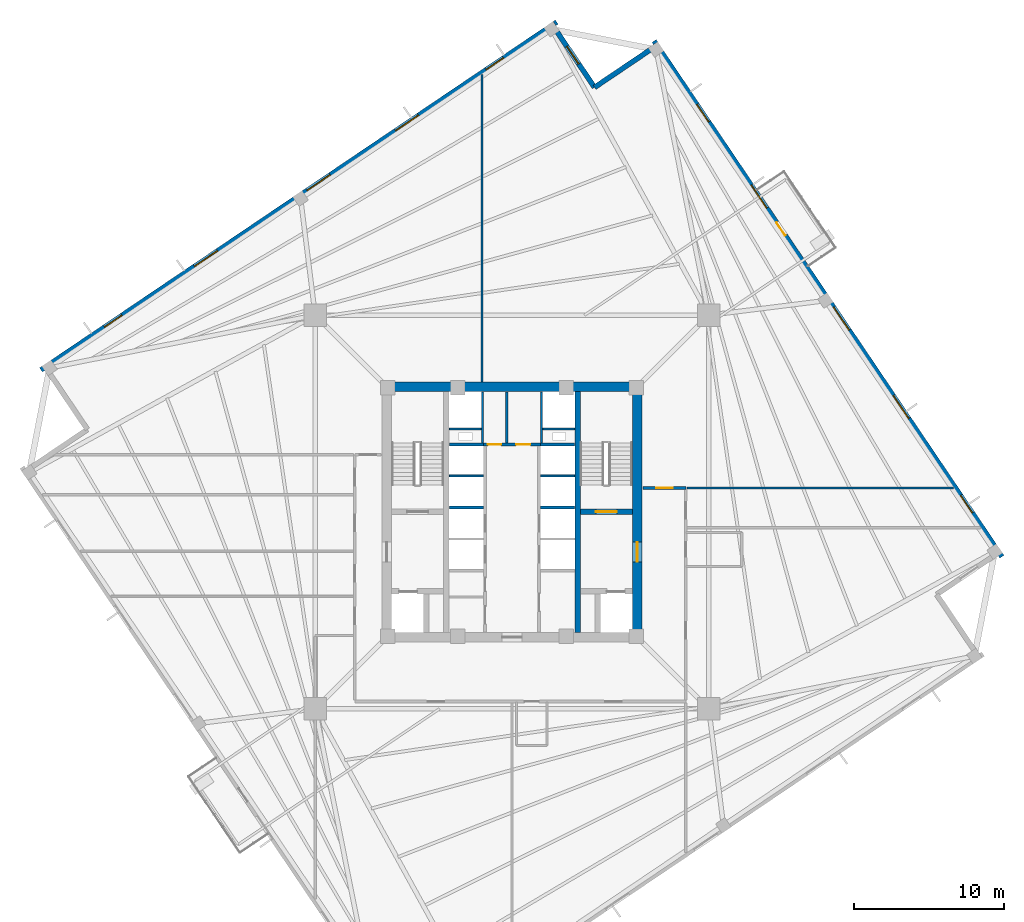
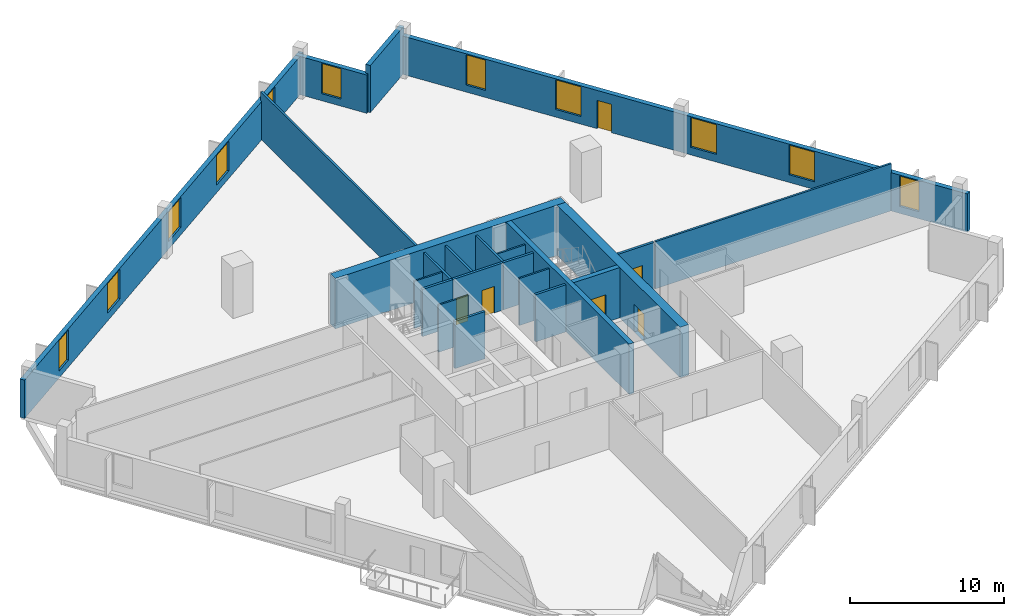
# One storey, part 5 of 9: 23 walls, 11 windows, 6 doors, 17 openings.
"""IFC4 building model written with IfcOpenShell, lengths in metres."""

from ifc_helpers import new_model, si_unit, direction, frame, frame_2d, origin, place, context, subcontext, project, spatial, rectangle, extrude, source, transform, mapped, material, layer, layer_set, type_object, element, fill, save


model = new_model("IFC4")

# Units and contexts
model_context = context("Model", 3, precision=1e-05, world=origin(), true_north=direction((0.0, 1.0)))
body_context = subcontext(model_context, "Body", "Model", "MODEL_VIEW")
ifc_project = project(units=[si_unit("LENGTHUNIT", "METRE"), si_unit("AREAUNIT", "SQUARE_METRE"), si_unit("VOLUMEUNIT", "CUBIC_METRE"), si_unit("PLANEANGLEUNIT", "RADIAN"), si_unit("MASSUNIT", "GRAM", prefix="KILO"), si_unit("THERMODYNAMICTEMPERATUREUNIT", "KELVIN")], contexts=[model_context])

# Site, building, storey
site_placement = place(None, origin())
site = spatial("IfcSite", under=ifc_project, at=site_placement, CompositionType="ELEMENT")
building_placement = place(site_placement, origin())
building = spatial("IfcBuilding", under=site, at=building_placement, Name="Kosmvard Interchange Tower", CompositionType="ELEMENT")
storey_placement = place(building_placement, frame((0.0, 0.0, 180.39990234375)))
storey = spatial("IfcBuildingStorey", under=building, at=storey_placement, Name="L43", CompositionType="ELEMENT", Elevation=180.39990234375)

# Walls
ifc_material_1 = material(Name="Acoustic gypsum partition system")
ifc_layer_1 = layer(ifc_material_1, 0.14990234375, Name="Acoustic gypsum partition system")
ifc_layer_set_1 = layer_set([ifc_layer_1], Name="Acoustic gypsum partition system")
wall_type_1 = type_object("IfcWallType", Name="Acoustic Suite & Meeting Partition 150", PredefinedType="PARTITIONING", material=ifc_layer_set_1)
wall_1_placement = place(storey_placement, frame((-2.0, 8.655029296875, 0.0), z_axis=(0.0, 0.0, 1.0), x_axis=(0.0, 1.0, 0.0)))
element("IfcWall", 1, at=wall_1_placement, inside=storey, type_object=wall_type_1, Name="L43 Room Partition 01.1", PredefinedType="PARTITIONING", context=body_context, shape_type="SweptSolid", body=[
    extrude(rectangle(XDim=20.4228515625, YDim=0.14990234375, at=frame_2d((10.21142578125, 0.0))), origin(), (0.0, 0.0, 1.0), 3.739990234375),
])
wall_2_placement = place(storey_placement, frame((11.64501953125, 1.60009765625, 0.0), z_axis=(0.0, 0.0, 1.0), x_axis=(1.0, 0.0, 0.0)))
element("IfcWall", 2, at=wall_2_placement, inside=storey, type_object=wall_type_1, Name="L43 Room Partition 05.1", PredefinedType="PARTITIONING", context=body_context, shape_type="SweptSolid", body=[
    extrude(rectangle(XDim=17.70263671875, YDim=0.14990234375, at=frame_2d((8.851318359375, 0.0))), origin(), (0.0, 0.0, 1.0), 3.739990234375),
])
ifc_material_2 = material(Name="Fire-rated gypsum partition system")
ifc_layer_2 = layer(ifc_material_2, 0.159912109375, Name="Fire-rated gypsum partition system")
ifc_layer_set_2 = layer_set([ifc_layer_2], Name="Fire-rated gypsum partition system")
wall_type_2 = type_object("IfcWallType", Name="Core Compartment & Shuttle Lobby Partition 160", PredefinedType="PARTITIONING", material=ifc_layer_set_2)
for number, where, z_axis, x_axis, name in (
    (3, (-1.9599609375, 4.580078125, 0.0), (0.0, 0.0, 1.0), (0.0, 1.0, 0.0), "L43 North Core West Wall"),
    (4, (1.9599609375, 4.580078125, 0.0), (0.0, 0.0, 1.0), (0.0, 1.0, 0.0), "L43 North Core East Wall"),
):
    element("IfcWall", number, at=place(storey_placement, frame(where, z_axis=z_axis, x_axis=x_axis)), inside=storey, type_object=wall_type_2, Name=name, PredefinedType="PARTITIONING", context=body_context, shape_type="SweptSolid", body=[
        extrude(rectangle(XDim=3.39990234375, YDim=0.159912109375, at=frame_2d((1.699951171875, 0.0))), origin(), (0.0, 0.0, 1.0), 3.739990234375),
    ])
ifc_material_3 = material(Name="Concrete blockwork masonry", Category="masonry")
ifc_layer_3 = layer(ifc_material_3, 0.159912109375, Name="Concrete blockwork masonry")
ifc_layer_set_3 = layer_set([ifc_layer_3], Name="Concrete blockwork masonry")
wall_type_3 = type_object("IfcWallType", Name="Core Enclosure Split Wall 160", PredefinedType="PARTITIONING", material=ifc_layer_set_3)
wall_3_placement = place(storey_placement, frame((-0.35009765625, 4.60009765625, 0.0), z_axis=(0.0, 0.0, 1.0), x_axis=(0.0, 1.0, 0.0)))
element("IfcWall", 5, at=wall_3_placement, inside=storey, type_object=wall_type_3, Name="L43 Core K2 Split Wall", PredefinedType="PARTITIONING", context=body_context, shape_type="SweptSolid", body=[
    extrude(rectangle(XDim=3.3798828125, YDim=0.159912109375, at=frame_2d((1.68994140625, 0.0))), origin(), (0.0, 0.0, 1.0), 3.739990234375),
])

# Wall, openings, doors
ifc_layer_4 = layer(ifc_material_2, 0.179931640625, Name="Fire-rated gypsum partition system")
ifc_layer_set_4 = layer_set([ifc_layer_4], Name="Fire-rated gypsum partition system")
wall_type_4 = type_object("IfcWallType", Name="Corridor & Hotel Compartment Partition 180", PredefinedType="PARTITIONING", material=ifc_layer_set_4)
wall_4_placement = place(storey_placement, frame((-1.8798828125, 4.489990234375, 0.0), z_axis=(0.0, 0.0, 1.0), x_axis=(1.0, 0.0, 0.0)))
wall_4 = element("IfcWall", 6, at=wall_4_placement, inside=storey, type_object=wall_type_4, Name="L43 Lift Lobby North Partition", PredefinedType="PARTITIONING", context=body_context, shape_type="SweptSolid", body=[
    extrude(rectangle(XDim=3.759765625, YDim=0.179931640625, at=frame_2d((1.8798828125, 0.0))), origin(), (0.0, 0.0, 1.0), 3.739990234375),
])
opening_1_placement = place(wall_4_placement, frame((0.280029296875, 0.0, 0.0)))
opening_1 = element("IfcOpeningElement", 7, at=opening_1_placement, cuts=wall_4, Name="Opening L43-KD1", PredefinedType="OPENING", context=body_context, shape_type="SweptSolid", body=[
    extrude(rectangle(XDim=0.8798828125, YDim=2.10009765625, at=frame_2d((0.43994140625, 1.050048828125))), frame((0.0, 0.10009765625, 0.0), z_axis=(0.0, -1.0, 0.0), x_axis=(1.0, 0.0, 0.0)), (0.0, 0.0, 1.0), 0.199951171875),
])
opening_2_placement = place(wall_4_placement, frame((2.14990234375, 0.0, 0.0)))
opening_2 = element("IfcOpeningElement", 8, at=opening_2_placement, cuts=wall_4, Name="Opening L43-KD2", PredefinedType="OPENING", context=body_context, shape_type="SweptSolid", body=[
    extrude(rectangle(XDim=0.949951171875, YDim=2.10009765625, at=frame_2d((0.47509765625, 1.050048828125))), frame((0.0, 0.10009765625, 0.0), z_axis=(0.0, -1.0, 0.0), x_axis=(1.0, 0.0, 0.0)), (0.0, 0.0, 1.0), 0.199951171875),
])
ifc_material_4 = material(Name="Painted fire-rated timber leaf", Category="wood")
door_type_1 = type_object("IfcDoorType", Name="Core Service Fire Door 950x2100 EI30", OperationType="NOTDEFINED", PredefinedType="DOOR", material=ifc_material_4)
shared_shape_1 = source(origin(), body_context, "Body", "SweptSolid", [
    extrude(rectangle(XDim=0.949951171875, YDim=2.10009765625, at=frame_2d((0.47509765625, 1.050048828125))), frame((0.0, 0.02490234375, 0.0), z_axis=(0.0, -1.0, 0.0), x_axis=(1.0, 0.0, 0.0)), (0.0, 0.0, 1.0), 0.050048828125),
])
door_1_placement = place(opening_2_placement, origin())
door_1 = element("IfcDoor", 9, at=door_1_placement, inside=storey, type_object=door_type_1, Name="L43 Core Tea Pantry Door", OperationType="SINGLE_SWING_RIGHT", OverallHeight=2.10009765625, OverallWidth=0.949951171875, PredefinedType="DOOR", context=body_context, shape_type="MappedRepresentation", body=[
    mapped(shared_shape_1, transform((0.0, 0.0, 0.0), scale=1.0)),
])
fill(opening_2, door_1)
door_type_2 = type_object("IfcDoorType", Name="Core Cupboard Fire Door 880x2100 EI30", OperationType="NOTDEFINED", PredefinedType="DOOR", material=ifc_material_4)
shared_shape_2 = source(origin(), body_context, "Body", "SweptSolid", [
    extrude(rectangle(XDim=0.8798828125, YDim=2.10009765625, at=frame_2d((0.43994140625, 1.050048828125))), frame((0.0, 0.02490234375, 0.0), z_axis=(0.0, -1.0, 0.0), x_axis=(1.0, 0.0, 0.0)), (0.0, 0.0, 1.0), 0.050048828125),
])
door_2_placement = place(opening_1_placement, origin())
door_2 = element("IfcDoor", 10, at=door_2_placement, inside=storey, type_object=door_type_2, Name="L43 Core Cleaner Cupboard Door", OperationType="SINGLE_SWING_LEFT", OverallHeight=2.10009765625, OverallWidth=0.8798828125, PredefinedType="DOOR", context=body_context, shape_type="MappedRepresentation", body=[
    mapped(shared_shape_2, transform((0.0, 0.0, 0.0), scale=1.0)),
])
fill(opening_1, door_2)

# Wall, opening, door
wall_5_placement = place(storey_placement, frame((8.699951171875, 1.60009765625, 0.0), z_axis=(0.0, 0.0, 1.0), x_axis=(1.0, 0.0, 0.0)))
wall_5 = element("IfcWall", 11, at=wall_5_placement, inside=storey, type_object=wall_type_4, Name="L43 Corridor Wall CNE", PredefinedType="PARTITIONING", context=body_context, shape_type="SweptSolid", body=[
    extrude(rectangle(XDim=2.85009765625, YDim=0.179931640625, at=frame_2d((1.425048828125, 0.0))), origin(), (0.0, 0.0, 1.0), 3.739990234375),
])
opening_3_placement = place(wall_5_placement, frame((0.875, 0.0, 0.0)))
opening_3 = element("IfcOpeningElement", 12, at=opening_3_placement, cuts=wall_5, Name="Opening L43-D05", PredefinedType="OPENING", context=body_context, shape_type="SweptSolid", body=[
    extrude(rectangle(XDim=1.10009765625, YDim=2.199951171875, at=frame_2d((0.550048828125, 1.10009765625))), frame((0.0, 0.10009765625, 0.0), z_axis=(0.0, -1.0, 0.0), x_axis=(1.0, 0.0, 0.0)), (0.0, 0.0, 1.0), 0.199951171875),
])
ifc_material_5 = material(Name="Engineered oak fire-rated timber", Category="wood")
door_type_3 = type_object("IfcDoorType", Name="Office Suite Entrance Door 1100x2200 FD30S", OperationType="NOTDEFINED", PredefinedType="DOOR", material=ifc_material_5)
shared_shape_3 = source(origin(), body_context, "Body", "SweptSolid", [
    extrude(rectangle(XDim=1.10009765625, YDim=2.199951171875, at=frame_2d((0.550048828125, 1.10009765625))), frame((0.0, 0.02490234375, 0.0), z_axis=(0.0, -1.0, 0.0), x_axis=(1.0, 0.0, 0.0)), (0.0, 0.0, 1.0), 0.050048828125),
])
door_3_placement = place(opening_3_placement, origin())
door_3 = element("IfcDoor", 13, at=door_3_placement, inside=storey, type_object=door_type_3, Name="L43 North-East Cloud Systems Workplace Door", OperationType="SINGLE_SWING_LEFT", OverallHeight=2.199951171875, OverallWidth=1.10009765625, PredefinedType="DOOR", context=body_context, shape_type="MappedRepresentation", body=[
    mapped(shared_shape_3, transform((0.0, 0.0, 0.0), scale=1.0)),
])
fill(opening_3, door_3)

# Wall
ifc_material_6 = material(Name="Concrete C70/85", Category="concrete")
ifc_layer_5 = layer(ifc_material_6, 0.64990234375, Name="Concrete C70/85")
ifc_layer_set_5 = layer_set([ifc_layer_5], Name="Concrete C70/85")
wall_type_5 = type_object("IfcWallType", Name="Mid Core Shear Wall 650 C70/85", PredefinedType="SHEAR", material=ifc_layer_set_5)
wall_6_placement = place(storey_placement, frame((-8.64990234375, 8.324951171875, 0.0), z_axis=(0.0, 0.0, 1.0), x_axis=(1.0, 0.0, 0.0)))
element("IfcWall", 14, at=wall_6_placement, inside=storey, type_object=wall_type_5, Name="L43 Core Shear Wall CW-N", PredefinedType="SHEAR", context=body_context, shape_type="SweptSolid", body=[
    extrude(rectangle(XDim=17.2998046875, YDim=0.64990234375, at=frame_2d((8.64990234375, 0.0))), origin(), (0.0, 0.0, 1.0), 4.0),
])

# Wall, opening, door
wall_7_placement = place(storey_placement, frame((8.324951171875, -8.0, 0.0), z_axis=(0.0, 0.0, 1.0), x_axis=(0.0, 1.0, 0.0)))
wall_7 = element("IfcWall", 15, at=wall_7_placement, inside=storey, type_object=wall_type_5, Name="L43 Core Shear Wall CW-E", PredefinedType="SHEAR", context=body_context, shape_type="SweptSolid", body=[
    extrude(rectangle(XDim=16.0, YDim=0.64990234375, at=frame_2d((8.0, 0.0))), origin(), (0.0, 0.0, 1.0), 4.0),
])
opening_4_placement = place(wall_7_placement, frame((4.68994140625, 0.0, 0.0)))
opening_4 = element("IfcOpeningElement", 16, at=opening_4_placement, cuts=wall_7, Name="Opening L43-FD2", PredefinedType="OPENING", context=body_context, shape_type="SweptSolid", body=[
    extrude(rectangle(XDim=1.300048828125, YDim=2.199951171875, at=frame_2d((0.64990234375, 1.10009765625))), frame((0.0, 0.3349609375, 0.0), z_axis=(0.0, -1.0, 0.0), x_axis=(1.0, 0.0, 0.0)), (0.0, 0.0, 1.0), 0.669921875),
])
ifc_material_7 = material(Name="Painted fire-rated steel leaf", Category="steel")
door_type_4 = type_object("IfcDoorType", Name="Firefighting Lobby Door 1300x2200 EI60", OperationType="NOTDEFINED", PredefinedType="DOOR", material=ifc_material_7)
shared_shape_4 = source(origin(), body_context, "Body", "SweptSolid", [
    extrude(rectangle(XDim=1.300048828125, YDim=2.199951171875, at=frame_2d((0.64990234375, 1.10009765625))), frame((0.0, 0.02490234375, 0.0), z_axis=(0.0, -1.0, 0.0), x_axis=(1.0, 0.0, 0.0)), (0.0, 0.0, 1.0), 0.050048828125),
])
door_4_placement = place(opening_4_placement, origin())
door_4 = element("IfcDoor", 17, at=door_4_placement, inside=storey, type_object=door_type_4, Name="L43 Firefighting Lobby East Door", OperationType="SINGLE_SWING_RIGHT", OverallHeight=2.199951171875, OverallWidth=1.300048828125, PredefinedType="DOOR", context=body_context, shape_type="MappedRepresentation", body=[
    mapped(shared_shape_4, transform((0.0, 0.0, 0.0), scale=1.0)),
])
fill(opening_4, door_4)

# Wall, openings, door, windows
ifc_material_8 = material(Name="Precast concrete C45/55", Category="concrete")
ifc_layer_6 = layer(ifc_material_8, 0.340087890625, Name="Precast concrete C45/55")
ifc_layer_set_6 = layer_set([ifc_layer_6], Name="Precast concrete C45/55")
wall_type_6 = type_object("IfcWallType", Name="Mid Tower Precast Pier Wall 340 C45/55", PredefinedType="STANDARD", material=ifc_layer_set_6)
wall_8_placement = place(storey_placement, frame((32.55810546875, -2.971923828125, 0.0), z_axis=(0.0, 0.0, 1.0), x_axis=(-0.559194910251, 0.829036218961, 0.0)))
wall_8 = element("IfcWall", 18, at=wall_8_placement, inside=storey, type_object=wall_type_6, Name="L43 Precast Facade Wall F-E", PredefinedType="STANDARD", context=body_context, shape_type="SweptSolid", body=[
    extrude(rectangle(XDim=41.340087890625, YDim=0.340087890625, at=frame_2d((20.669921875, 0.0))), origin(), (0.0, 0.0, 1.0), 3.0400390625),
])
opening_5_placement = place(wall_8_placement, frame((25.7451171875, 0.0, 0.0)))
opening_5 = element("IfcOpeningElement", 19, at=opening_5_placement, cuts=wall_8, Name="Opening L43-BDE", PredefinedType="OPENING", context=body_context, shape_type="SweptSolid", body=[
    extrude(rectangle(XDim=1.050048828125, YDim=2.25, at=frame_2d((0.52490234375, 1.125))), frame((0.0, 0.18017578125, 0.0), z_axis=(0.0, -1.0, 0.0), x_axis=(1.0, 0.0, 0.0)), (0.0, 0.0, 1.0), 0.360107421875),
])
opening_6_placement = place(wall_8_placement, frame((3.5107421875, 0.0, 0.56005859375)))
opening_6 = element("IfcOpeningElement", 20, at=opening_6_placement, cuts=wall_8, Name="Opening L43-W06", PredefinedType="OPENING", context=body_context, shape_type="SweptSolid", body=[
    extrude(rectangle(XDim=1.39990234375, YDim=2.39990234375, at=frame_2d((0.699951171875, 1.199951171875))), frame((0.0, 0.18017578125, 0.0), z_axis=(0.0, -1.0, 0.0), x_axis=(1.0, 0.0, 0.0)), (0.0, 0.0, 1.0), 0.360107421875),
])
opening_7_placement = place(wall_8_placement, frame((11.063720703125, 0.0, 0.610107421875)))
opening_7 = element("IfcOpeningElement", 21, at=opening_7_placement, cuts=wall_8, Name="Opening L43-W07", PredefinedType="OPENING", context=body_context, shape_type="SweptSolid", body=[
    extrude(rectangle(XDim=1.85009765625, YDim=2.35009765625, at=frame_2d((0.925048828125, 1.175048828125))), frame((0.0, 0.18017578125, 0.0), z_axis=(0.0, -1.0, 0.0), x_axis=(1.0, 0.0, 0.0)), (0.0, 0.0, 1.0), 0.360107421875),
])
opening_8_placement = place(wall_8_placement, frame((18.168212890625, 0.0, 0.610107421875)))
opening_8 = element("IfcOpeningElement", 22, at=opening_8_placement, cuts=wall_8, Name="Opening L43-W08", PredefinedType="OPENING", context=body_context, shape_type="SweptSolid", body=[
    extrude(rectangle(XDim=1.85009765625, YDim=2.35009765625, at=frame_2d((0.925048828125, 1.175048828125))), frame((0.0, 0.18017578125, 0.0), z_axis=(0.0, -1.0, 0.0), x_axis=(1.0, 0.0, 0.0)), (0.0, 0.0, 1.0), 0.360107421875),
])
opening_9_placement = place(wall_8_placement, frame((27.936279296875, 0.0, 0.610107421875)))
opening_9 = element("IfcOpeningElement", 23, at=opening_9_placement, cuts=wall_8, Name="Opening L43-W09", PredefinedType="OPENING", context=body_context, shape_type="SweptSolid", body=[
    extrude(rectangle(XDim=1.85009765625, YDim=2.35009765625, at=frame_2d((0.925048828125, 1.175048828125))), frame((0.0, 0.18017578125, 0.0), z_axis=(0.0, -1.0, 0.0), x_axis=(1.0, 0.0, 0.0)), (0.0, 0.0, 1.0), 0.360107421875),
])
opening_10_placement = place(wall_8_placement, frame((34.852294921875, 0.0, 0.56005859375)))
opening_10 = element("IfcOpeningElement", 24, at=opening_10_placement, cuts=wall_8, Name="Opening L43-W10", PredefinedType="OPENING", context=body_context, shape_type="SweptSolid", body=[
    extrude(rectangle(XDim=1.39990234375, YDim=2.39990234375, at=frame_2d((0.699951171875, 1.199951171875))), frame((0.0, 0.18017578125, 0.0), z_axis=(0.0, -1.0, 0.0), x_axis=(1.0, 0.0, 0.0)), (0.0, 0.0, 1.0), 0.360107421875),
])
ifc_material_9 = material(Name="Anodised aluminium and safety glass", Category="aluminium")
door_type_5 = type_object("IfcDoorType", Name="Tree-Balcony Glazed Door 1050x2250", OperationType="NOTDEFINED", PredefinedType="DOOR", material=ifc_material_9)
shared_shape_5 = source(origin(), body_context, "Body", "SweptSolid", [
    extrude(rectangle(XDim=1.050048828125, YDim=2.25, at=frame_2d((0.52490234375, 1.125))), frame((0.0, 0.02490234375, 0.0), z_axis=(0.0, -1.0, 0.0), x_axis=(1.0, 0.0, 0.0)), (0.0, 0.0, 1.0), 0.050048828125),
])
door_5_placement = place(opening_5_placement, origin())
door_5 = element("IfcDoor", 25, at=door_5_placement, inside=storey, type_object=door_type_5, Name="L43 Tree-Balcony Door BAL-L43-E", OperationType="SINGLE_SWING_RIGHT", OverallHeight=2.25, OverallWidth=1.050048828125, PredefinedType="DOOR", context=body_context, shape_type="MappedRepresentation", body=[
    mapped(shared_shape_5, transform((0.0, 0.0, 0.0), scale=1.0)),
])
fill(opening_5, door_5)
ifc_material_10 = material(Name="Low-E solar-control double glazing", Category="glass")
window_type_1 = type_object("IfcWindowType", Name="Notched Corner Feature Window 1400x2400", PartitioningType="SINGLE_PANEL", PredefinedType="WINDOW", material=ifc_material_10)
shared_shape_6 = source(origin(), body_context, "Body", "SweptSolid", [
    extrude(rectangle(XDim=1.39990234375, YDim=2.39990234375, at=frame_2d((0.699951171875, 1.199951171875))), frame((0.0, 0.030029296875, 0.0), z_axis=(0.0, -1.0, 0.0), x_axis=(1.0, 0.0, 0.0)), (0.0, 0.0, 1.0), 0.06005859375),
])
window_1_placement = place(opening_6_placement, origin())
window_1 = element("IfcWindow", 26, at=window_1_placement, inside=storey, type_object=window_type_1, Name="L43 Facade Punched Window 06", OverallHeight=2.39990234375, OverallWidth=1.39990234375, PartitioningType="SINGLE_PANEL", PredefinedType="WINDOW", context=body_context, shape_type="MappedRepresentation", body=[
    mapped(shared_shape_6, transform((0.0, 0.0, 0.0), scale=1.0)),
])
fill(opening_6, window_1)
window_2_placement = place(opening_10_placement, origin())
window_2 = element("IfcWindow", 27, at=window_2_placement, inside=storey, type_object=window_type_1, Name="L43 Facade Punched Window 10", OverallHeight=2.39990234375, OverallWidth=1.39990234375, PartitioningType="SINGLE_PANEL", PredefinedType="WINDOW", context=body_context, shape_type="MappedRepresentation", body=[
    mapped(shared_shape_6, transform((0.0, 0.0, 0.0), scale=1.0)),
])
fill(opening_10, window_2)
window_type_2 = type_object("IfcWindowType", Name="Zone 3 Office Punched Window 1850x2350", PartitioningType="SINGLE_PANEL", PredefinedType="WINDOW", material=ifc_material_10)
shared_shape_7 = source(origin(), body_context, "Body", "SweptSolid", [
    extrude(rectangle(XDim=1.85009765625, YDim=2.35009765625, at=frame_2d((0.925048828125, 1.175048828125))), frame((0.0, 0.030029296875, 0.0), z_axis=(0.0, -1.0, 0.0), x_axis=(1.0, 0.0, 0.0)), (0.0, 0.0, 1.0), 0.06005859375),
])
window_3_placement = place(opening_7_placement, origin())
window_3 = element("IfcWindow", 28, at=window_3_placement, inside=storey, type_object=window_type_2, Name="L43 Facade Punched Window 07", OverallHeight=2.35009765625, OverallWidth=1.85009765625, PartitioningType="SINGLE_PANEL", PredefinedType="WINDOW", context=body_context, shape_type="MappedRepresentation", body=[
    mapped(shared_shape_7, transform((0.0, 0.0, 0.0), scale=1.0)),
])
fill(opening_7, window_3)
window_4_placement = place(opening_8_placement, origin())
window_4 = element("IfcWindow", 29, at=window_4_placement, inside=storey, type_object=window_type_2, Name="L43 Facade Punched Window 08", OverallHeight=2.35009765625, OverallWidth=1.85009765625, PartitioningType="SINGLE_PANEL", PredefinedType="WINDOW", context=body_context, shape_type="MappedRepresentation", body=[
    mapped(shared_shape_7, transform((0.0, 0.0, 0.0), scale=1.0)),
])
fill(opening_8, window_4)
window_5_placement = place(opening_9_placement, origin())
window_5 = element("IfcWindow", 30, at=window_5_placement, inside=storey, type_object=window_type_2, Name="L43 Facade Punched Window 09", OverallHeight=2.35009765625, OverallWidth=1.85009765625, PartitioningType="SINGLE_PANEL", PredefinedType="WINDOW", context=body_context, shape_type="MappedRepresentation", body=[
    mapped(shared_shape_7, transform((0.0, 0.0, 0.0), scale=1.0)),
])
fill(opening_9, window_5)

# Wall
wall_9_placement = place(storey_placement, frame((9.631103515625, 31.018798828125, 0.0), z_axis=(0.0, 0.0, 1.0), x_axis=(-0.829025804298, -0.559210350234, 0.0)))
element("IfcWall", 31, at=wall_9_placement, inside=storey, type_object=wall_type_6, Name="L43 Precast Facade Wall N-NE1", PredefinedType="STANDARD", context=body_context, shape_type="SweptSolid", body=[
    extrude(rectangle(XDim=5.000244140625, YDim=0.340087890625, at=frame_2d((2.5, 0.0))), origin(), (0.0, 0.0, 1.0), 3.739990234375),
])

# Wall, opening, window
wall_10_placement = place(storey_placement, frame((5.48583984375, 28.22265625, 0.0), z_axis=(0.0, 0.0, 1.0), x_axis=(-0.559171107879, 0.82905227345, 0.0)))
wall_10 = element("IfcWall", 32, at=wall_10_placement, inside=storey, type_object=wall_type_6, Name="L43 Precast Facade Wall N-NE2", PredefinedType="STANDARD", context=body_context, shape_type="SweptSolid", body=[
    extrude(rectangle(XDim=5.169921875, YDim=0.340087890625, at=frame_2d((2.5849609375, 0.0))), origin(), (0.0, 0.0, 1.0), 3.0400390625),
])
opening_11_placement = place(wall_10_placement, frame((1.885009765625, 0.0, 0.56005859375)))
opening_11 = element("IfcOpeningElement", 33, at=opening_11_placement, cuts=wall_10, Name="Opening L43-W22", PredefinedType="OPENING", context=body_context, shape_type="SweptSolid", body=[
    extrude(rectangle(XDim=1.39990234375, YDim=2.39990234375, at=frame_2d((0.699951171875, 1.199951171875))), frame((0.0, 0.18017578125, 0.0), z_axis=(0.0, -1.0, 0.0), x_axis=(1.0, 0.0, 0.0)), (0.0, 0.0, 1.0), 0.360107421875),
])
window_6_placement = place(opening_11_placement, origin())
window_6 = element("IfcWindow", 34, at=window_6_placement, inside=storey, type_object=window_type_1, Name="L43 Corner Notch Window 22", OverallHeight=2.39990234375, OverallWidth=1.39990234375, PartitioningType="SINGLE_PANEL", PredefinedType="WINDOW", context=body_context, shape_type="MappedRepresentation", body=[
    mapped(shared_shape_6, transform((0.0, 0.0, 0.0), scale=1.0)),
])
fill(opening_11, window_6)

# Wall, openings, windows
wall_11_placement = place(storey_placement, frame((2.971923828125, 32.55810546875, 0.0), z_axis=(0.0, 0.0, 1.0), x_axis=(-0.829036218961, -0.559194910251, 0.0)))
wall_11 = element("IfcWall", 35, at=wall_11_placement, inside=storey, type_object=wall_type_6, Name="L43 Precast Facade Wall F-N", PredefinedType="STANDARD", context=body_context, shape_type="SweptSolid", body=[
    extrude(rectangle(XDim=41.340087890625, YDim=0.340087890625, at=frame_2d((20.669921875, 0.0))), origin(), (0.0, 0.0, 1.0), 3.0400390625),
])
opening_12_placement = place(wall_11_placement, frame((4.2607421875, 0.0, 0.56005859375)))
opening_12 = element("IfcOpeningElement", 36, at=opening_12_placement, cuts=wall_11, Name="Opening L43-W11", PredefinedType="OPENING", context=body_context, shape_type="SweptSolid", body=[
    extrude(rectangle(XDim=1.39990234375, YDim=2.39990234375, at=frame_2d((0.699951171875, 1.199951171875))), frame((0.0, 0.18017578125, 0.0), z_axis=(0.0, -1.0, 0.0), x_axis=(1.0, 0.0, 0.0)), (0.0, 0.0, 1.0), 0.360107421875),
])
opening_13_placement = place(wall_11_placement, frame((11.063720703125, 0.0, 0.610107421875)))
opening_13 = element("IfcOpeningElement", 37, at=opening_13_placement, cuts=wall_11, Name="Opening L43-W12", PredefinedType="OPENING", context=body_context, shape_type="SweptSolid", body=[
    extrude(rectangle(XDim=1.85009765625, YDim=2.35009765625, at=frame_2d((0.925048828125, 1.175048828125))), frame((0.0, 0.18017578125, 0.0), z_axis=(0.0, -1.0, 0.0), x_axis=(1.0, 0.0, 0.0)), (0.0, 0.0, 1.0), 0.360107421875),
])
opening_14_placement = place(wall_11_placement, frame((18.168212890625, 0.0, 0.610107421875)))
opening_14 = element("IfcOpeningElement", 38, at=opening_14_placement, cuts=wall_11, Name="Opening L43-W13", PredefinedType="OPENING", context=body_context, shape_type="SweptSolid", body=[
    extrude(rectangle(XDim=1.85009765625, YDim=2.35009765625, at=frame_2d((0.925048828125, 1.175048828125))), frame((0.0, 0.18017578125, 0.0), z_axis=(0.0, -1.0, 0.0), x_axis=(1.0, 0.0, 0.0)), (0.0, 0.0, 1.0), 0.360107421875),
])
opening_15_placement = place(wall_11_placement, frame((27.186279296875, 0.0, 0.610107421875)))
opening_15 = element("IfcOpeningElement", 39, at=opening_15_placement, cuts=wall_11, Name="Opening L43-W14", PredefinedType="OPENING", context=body_context, shape_type="SweptSolid", body=[
    extrude(rectangle(XDim=1.85009765625, YDim=2.35009765625, at=frame_2d((0.925048828125, 1.175048828125))), frame((0.0, 0.18017578125, 0.0), z_axis=(0.0, -1.0, 0.0), x_axis=(1.0, 0.0, 0.0)), (0.0, 0.0, 1.0), 0.360107421875),
])
opening_16_placement = place(wall_11_placement, frame((34.852294921875, 0.0, 0.56005859375)))
opening_16 = element("IfcOpeningElement", 40, at=opening_16_placement, cuts=wall_11, Name="Opening L43-W15", PredefinedType="OPENING", context=body_context, shape_type="SweptSolid", body=[
    extrude(rectangle(XDim=1.39990234375, YDim=2.39990234375, at=frame_2d((0.699951171875, 1.199951171875))), frame((0.0, 0.18017578125, 0.0), z_axis=(0.0, -1.0, 0.0), x_axis=(1.0, 0.0, 0.0)), (0.0, 0.0, 1.0), 0.360107421875),
])
window_7_placement = place(opening_12_placement, origin())
window_7 = element("IfcWindow", 41, at=window_7_placement, inside=storey, type_object=window_type_1, Name="L43 Facade Punched Window 11", OverallHeight=2.39990234375, OverallWidth=1.39990234375, PartitioningType="SINGLE_PANEL", PredefinedType="WINDOW", context=body_context, shape_type="MappedRepresentation", body=[
    mapped(shared_shape_6, transform((0.0, 0.0, 0.0), scale=1.0)),
])
fill(opening_12, window_7)
window_8_placement = place(opening_16_placement, origin())
window_8 = element("IfcWindow", 42, at=window_8_placement, inside=storey, type_object=window_type_1, Name="L43 Facade Punched Window 15", OverallHeight=2.39990234375, OverallWidth=1.39990234375, PartitioningType="SINGLE_PANEL", PredefinedType="WINDOW", context=body_context, shape_type="MappedRepresentation", body=[
    mapped(shared_shape_6, transform((0.0, 0.0, 0.0), scale=1.0)),
])
fill(opening_16, window_8)
window_9_placement = place(opening_13_placement, origin())
window_9 = element("IfcWindow", 43, at=window_9_placement, inside=storey, type_object=window_type_2, Name="L43 Facade Punched Window 12", OverallHeight=2.35009765625, OverallWidth=1.85009765625, PartitioningType="SINGLE_PANEL", PredefinedType="WINDOW", context=body_context, shape_type="MappedRepresentation", body=[
    mapped(shared_shape_7, transform((0.0, 0.0, 0.0), scale=1.0)),
])
fill(opening_13, window_9)
window_10_placement = place(opening_14_placement, origin())
window_10 = element("IfcWindow", 44, at=window_10_placement, inside=storey, type_object=window_type_2, Name="L43 Facade Punched Window 13", OverallHeight=2.35009765625, OverallWidth=1.85009765625, PartitioningType="SINGLE_PANEL", PredefinedType="WINDOW", context=body_context, shape_type="MappedRepresentation", body=[
    mapped(shared_shape_7, transform((0.0, 0.0, 0.0), scale=1.0)),
])
fill(opening_14, window_10)
window_11_placement = place(opening_15_placement, origin())
window_11 = element("IfcWindow", 45, at=window_11_placement, inside=storey, type_object=window_type_2, Name="L43 Facade Punched Window 14", OverallHeight=2.35009765625, OverallWidth=1.85009765625, PartitioningType="SINGLE_PANEL", PredefinedType="WINDOW", context=body_context, shape_type="MappedRepresentation", body=[
    mapped(shared_shape_7, transform((0.0, 0.0, 0.0), scale=1.0)),
])
fill(opening_15, window_11)

# Walls
ifc_layer_7 = layer(ifc_material_3, 0.179931640625, Name="Concrete blockwork masonry")
ifc_layer_set_7 = layer_set([ifc_layer_7], Name="Concrete blockwork masonry")
wall_type_7 = type_object("IfcWallType", Name="Riser & Lift Bank Divider Wall 180", PredefinedType="PARTITIONING", material=ifc_layer_set_7)
for number, where, z_axis, x_axis, name in (
    (46, (-4.169921875, 0.300048828125, 0.0), (0.0, 0.0, 1.0), (1.0, 0.0, 0.0), "L43 West Bank Divider BD2"),
    (47, (1.889892578125, 0.300048828125, 0.0), (0.0, 0.0, 1.0), (1.0, 0.0, 0.0), "L43 East Bank Divider BD2"),
    (48, (-4.169921875, 4.489990234375, 0.0), (0.0, 0.0, 1.0), (1.0, 0.0, 0.0), "L43 West Bank Divider BD3"),
    (49, (1.889892578125, 4.489990234375, 0.0), (0.0, 0.0, 1.0), (1.0, 0.0, 0.0), "L43 East Bank Divider BD3"),
):
    element("IfcWall", number, at=place(storey_placement, frame(where, z_axis=z_axis, x_axis=x_axis)), inside=storey, type_object=wall_type_7, Name=name, PredefinedType="PARTITIONING", context=body_context, shape_type="SweptSolid", body=[
        extrude(rectangle(XDim=2.280029296875, YDim=0.179931640625, at=frame_2d((1.14013671875, 0.0))), origin(), (0.0, 0.0, 1.0), 3.739990234375),
    ])
ifc_material_11 = material(Name="Fire-rated gypsum shaftwall system")
ifc_layer_8 = layer(ifc_material_11, 0.1201171875, Name="Fire-rated gypsum shaftwall system")
ifc_layer_set_8 = layer_set([ifc_layer_8], Name="Fire-rated gypsum shaftwall system")
wall_type_8 = type_object("IfcWallType", Name="Shaft & Riser Fire Partition 120 EI60", PredefinedType="PARTITIONING", material=ifc_layer_set_8)
for number, where, z_axis, x_axis, name in (
    (50, (-4.159912109375, 2.39990234375, 0.0), (0.0, 0.0, 1.0), (1.0, 0.0, 0.0), "L43 Shaft Divider PL-H1"),
    (51, (1.89990234375, 2.39990234375, 0.0), (0.0, 0.0, 1.0), (1.0, 0.0, 0.0), "L43 Shaft Divider PL-H3"),
):
    element("IfcWall", number, at=place(storey_placement, frame(where, z_axis=z_axis, x_axis=x_axis)), inside=storey, type_object=wall_type_8, Name=name, PredefinedType="PARTITIONING", context=body_context, shape_type="SweptSolid", body=[
        extrude(rectangle(XDim=2.260009765625, YDim=0.1201171875, at=frame_2d((1.1298828125, 0.0))), origin(), (0.0, 0.0, 1.0), 3.739990234375),
    ])
for number, where, z_axis, x_axis, name in (
    (52, (-4.159912109375, 5.52001953125, 0.0), (0.0, 0.0, 1.0), (1.0, 0.0, 0.0), "L43 Riser Shaft Divider W"),
    (53, (2.06005859375, 5.52001953125, 0.0), (0.0, 0.0, 1.0), (1.0, 0.0, 0.0), "L43 Riser Shaft Divider E"),
):
    element("IfcWall", number, at=place(storey_placement, frame(where, z_axis=z_axis, x_axis=x_axis)), inside=storey, type_object=wall_type_8, Name=name, PredefinedType="PARTITIONING", context=body_context, shape_type="SweptSolid", body=[
        extrude(rectangle(XDim=2.099853515625, YDim=0.1201171875, at=frame_2d((1.0498046875, 0.0))), origin(), (0.0, 0.0, 1.0), 3.739990234375),
    ])
ifc_material_12 = material(Name="Concrete C60/75", Category="concrete")
ifc_layer_9 = layer(ifc_material_12, 0.360107421875, Name="Concrete C60/75")
ifc_layer_set_9 = layer_set([ifc_layer_9], Name="Concrete C60/75")
wall_type_9 = type_object("IfcWallType", Name="Stair & Lift Shaft Shear Wall 360 C60/75", PredefinedType="SHEAR", material=ifc_layer_set_9)
wall_12_placement = place(storey_placement, frame((4.360107421875, -8.0, 0.0), z_axis=(0.0, 0.0, 1.0), x_axis=(0.0, 1.0, 0.0)))
element("IfcWall", 54, at=wall_12_placement, inside=storey, type_object=wall_type_9, Name="L43 Shaft Shear Wall SW-E", PredefinedType="SHEAR", context=body_context, shape_type="SweptSolid", body=[
    extrude(rectangle(XDim=16.0, YDim=0.360107421875, at=frame_2d((8.0, 0.0))), origin(), (0.0, 0.0, 1.0), 4.0),
])

# Wall, opening, door
wall_13_placement = place(storey_placement, frame((4.5400390625, 0.02001953125, 0.0), z_axis=(0.0, 0.0, 1.0), x_axis=(1.0, 0.0, 0.0)))
wall_13 = element("IfcWall", 55, at=wall_13_placement, inside=storey, type_object=wall_type_9, Name="L43 Shaft Shear Wall SW-ST2", PredefinedType="SHEAR", context=body_context, shape_type="SweptSolid", body=[
    extrude(rectangle(XDim=3.4599609375, YDim=0.360107421875, at=frame_2d((1.72998046875, 0.0))), origin(), (0.0, 0.0, 1.0), 4.0),
])
opening_17_placement = place(wall_13_placement, frame((1.030029296875, 0.0, 0.0)))
opening_17 = element("IfcOpeningElement", 56, at=opening_17_placement, cuts=wall_13, Name="Opening L43-SD2", PredefinedType="OPENING", context=body_context, shape_type="SweptSolid", body=[
    extrude(rectangle(XDim=1.39990234375, YDim=2.199951171875, at=frame_2d((0.699951171875, 1.10009765625))), frame((0.0, 0.18994140625, 0.0), z_axis=(0.0, -1.0, 0.0), x_axis=(1.0, 0.0, 0.0)), (0.0, 0.0, 1.0), 0.380126953125),
])
door_type_6 = type_object("IfcDoorType", Name="Protected Stair Door 1400x2200 FD60S", OperationType="NOTDEFINED", PredefinedType="DOOR", material=ifc_material_7)
shared_shape_8 = source(origin(), body_context, "Body", "SweptSolid", [
    extrude(rectangle(XDim=1.39990234375, YDim=2.199951171875, at=frame_2d((0.699951171875, 1.10009765625))), frame((0.0, 0.02490234375, 0.0), z_axis=(0.0, -1.0, 0.0), x_axis=(1.0, 0.0, 0.0)), (0.0, 0.0, 1.0), 0.050048828125),
])
door_6_placement = place(opening_17_placement, origin())
door_6 = element("IfcDoor", 57, at=door_6_placement, inside=storey, type_object=door_type_6, Name="L43 Stair ST-2 Enclosure Door", OperationType="SINGLE_SWING_RIGHT", OverallHeight=2.199951171875, OverallWidth=1.39990234375, PredefinedType="DOOR", context=body_context, shape_type="MappedRepresentation", body=[
    mapped(shared_shape_8, transform((0.0, 0.0, 0.0), scale=1.0)),
])
fill(opening_17, door_6)

save(model, "model.ifc")
